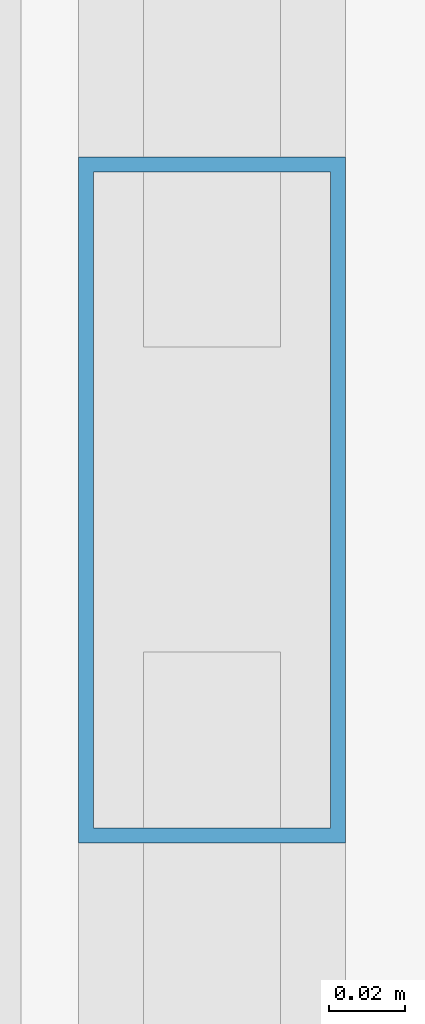
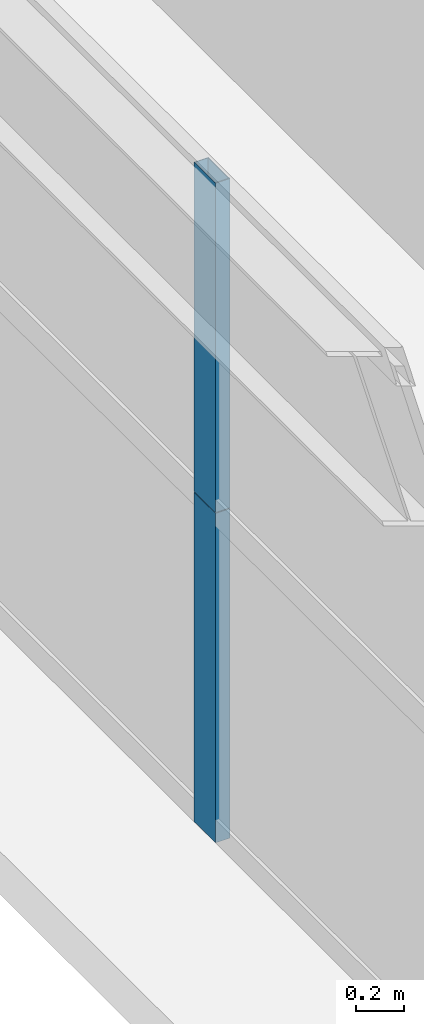
# One storey, part 22 of 43: 2 members, 1 element without a shape of its own.
"""IFC4 building model written with IfcOpenShell, lengths in metres."""

from ifc_helpers import new_model, si_unit, direction, frame, origin, origin_2d, place, context, subcontext, project, spatial, hollow_rectangle, extrude, source, transform, mapped, material, layer, layer_set, material_profile, profile_set, type_object, element, aggregate, save


model = new_model("IFC4")

# Units and contexts
model_context = context("Model", 3, precision=1e-05, world=origin(), true_north=direction((0.0, 1.0)))
body_context = subcontext(model_context, "Body", "Model", "MODEL_VIEW")
ifc_project = project(units=[si_unit("LENGTHUNIT", "METRE"), si_unit("AREAUNIT", "SQUARE_METRE"), si_unit("VOLUMEUNIT", "CUBIC_METRE"), si_unit("PLANEANGLEUNIT", "RADIAN"), si_unit("MASSUNIT", "GRAM", prefix="KILO"), si_unit("THERMODYNAMICTEMPERATUREUNIT", "KELVIN"), si_unit("POWERUNIT", "WATT")], contexts=[model_context])

# Site, building, storey
site_placement = place(None, origin())
site = spatial("IfcSite", under=ifc_project, at=site_placement, CompositionType="ELEMENT")
building_placement = place(site_placement, origin())
building = spatial("IfcBuilding", under=site, at=building_placement, Name="Yuzanri Waterfront Tower", CompositionType="ELEMENT")
storey_placement = place(building_placement, frame((0.0, 0.0, 53.199951171875)))
storey = spatial("IfcBuildingStorey", under=building, at=storey_placement, Name="L13", CompositionType="ELEMENT", Elevation=53.199951171875)

# Curtain wall, members
ifc_material_1 = material(Name="Anodized Architectural Bronze", Category="metal")
ifc_layer = layer(ifc_material_1, 0.159912109375)
ifc_layer_set = layer_set([ifc_layer], Name="Anodized Architectural Bronze")
curtain_wall_type = type_object("IfcCurtainWallType", Name="Anodized Bronze Hotel Lower-Tier Recessed Unitized Curtain Wall 8100", PredefinedType="NOTDEFINED", material=ifc_layer_set)
curtain_wall_placement = place(storey_placement, origin())
curtain_wall = element("IfcCurtainWall", 1, at=curtain_wall_placement, inside=storey, type_object=curtain_wall_type, Name="L13 Curtain Wall CW-L13-WR", PredefinedType="NOTDEFINED")
ifc_material_2 = material(Name="Anodized Architectural Bronze", Category="metal")
ifc_material_profile = material_profile(ifc_material_2, hollow_rectangle(XDim=0.070068359375, YDim=0.179931640625, WallThickness=0.00390625, at=origin_2d()), Name="CWM 70x180")
ifc_profile_set = profile_set([ifc_material_profile], Name="Anodized Architectural Bronze")
member_type = type_object("IfcMemberType", Name="Anodized Bronze Standard Curtain-Wall Mullion 70x180", PredefinedType="MULLION", material=ifc_profile_set)
shared_shape = source(origin(), body_context, "Body", "SweptSolid", [
    extrude(hollow_rectangle(XDim=0.070068359375, YDim=0.179931640625, WallThickness=0.00390625, at=origin_2d()), origin(), (0.0, 0.0, 1.0), 1.68798828125),
])
member_1_placement = place(storey_placement, frame((12.050048828125, 34.89990234375, 0.0), z_axis=(0.0, 0.0, 1.0), x_axis=(1.0, 0.0, 0.0)))
member_1 = element("IfcMember", 2, at=member_1_placement, type_object=member_type, Name="CW-L13-WR Lower Mullion 01", PredefinedType="MULLION", context=body_context, shape_type="MappedRepresentation", body=[
    mapped(shared_shape, transform((0.0, 0.0, 0.0), scale=1.0)),
])
member_2_placement = place(storey_placement, frame((12.050048828125, 34.89990234375, 1.692138671875), z_axis=(0.0, 0.0, 1.0), x_axis=(1.0, 0.0, 0.0)))
member_2 = element("IfcMember", 3, at=member_2_placement, type_object=member_type, Name="CW-L13-WR Upper Mullion 01", PredefinedType="MULLION", context=body_context, shape_type="MappedRepresentation", body=[
    mapped(shared_shape, transform((0.0, 0.0, 0.0), scale=1.0)),
])
aggregate(curtain_wall, [member_1, member_2])

save(model, "model.ifc")
